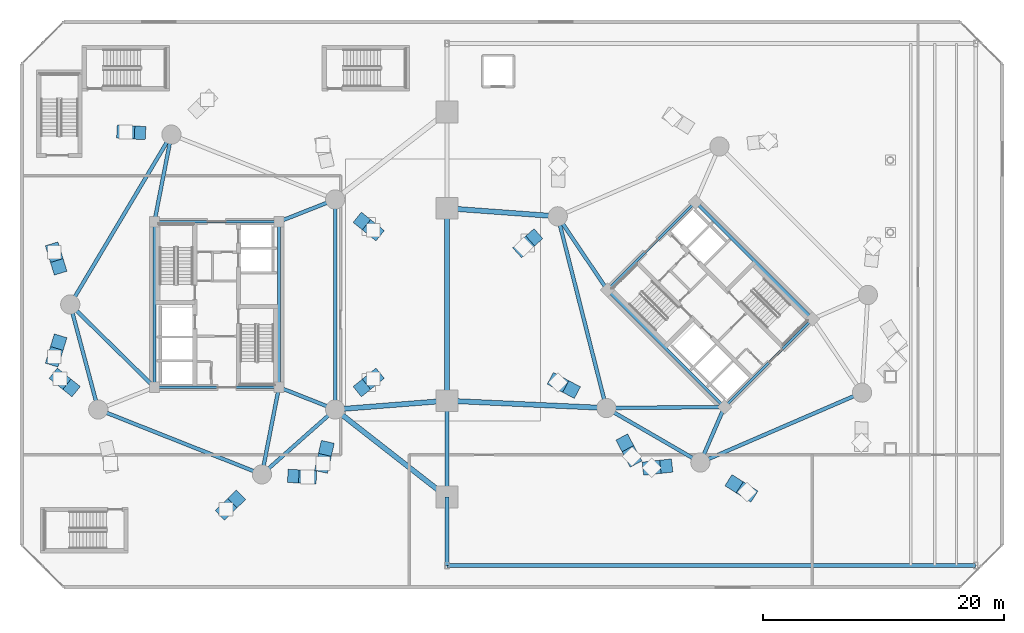
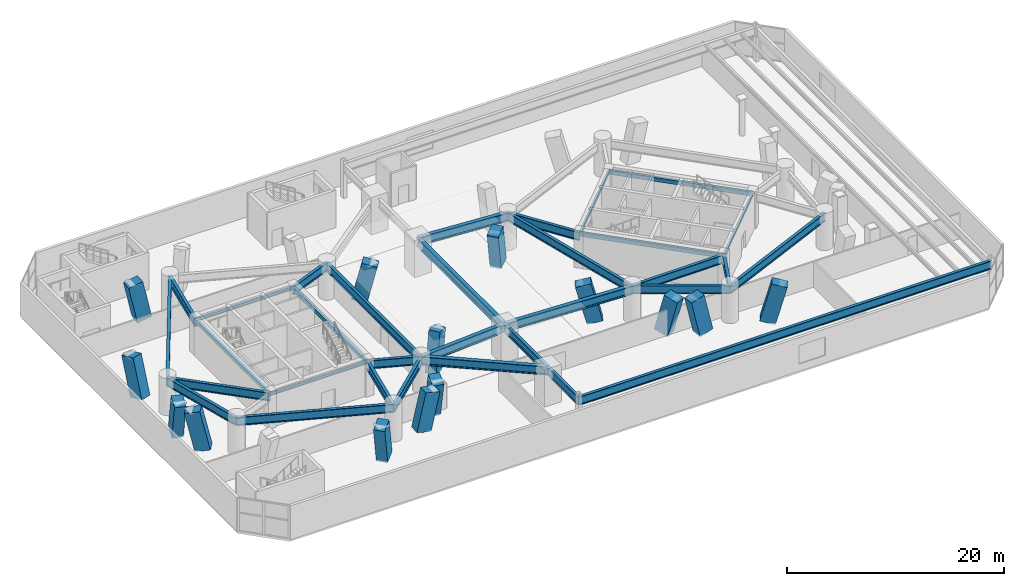
# One storey, part 4 of 20: 32 beams, 14 members.
"""IFC4 building model written with IfcOpenShell, lengths in metres."""

from ifc_helpers import new_model, si_unit, direction, frame, origin, origin_2d, place, context, subcontext, project, spatial, rectangle, hollow_rectangle, i_section, extrude, material, material_profile, profile_set, type_object, element, save


model = new_model("IFC4")

# Units and contexts
model_context = context("Model", 3, precision=1e-05, world=origin(), true_north=direction((0.0, 1.0)))
body_context = subcontext(model_context, "Body", "Model", "MODEL_VIEW")
ifc_project = project(units=[si_unit("LENGTHUNIT", "METRE"), si_unit("AREAUNIT", "SQUARE_METRE"), si_unit("VOLUMEUNIT", "CUBIC_METRE"), si_unit("PLANEANGLEUNIT", "RADIAN"), si_unit("MASSUNIT", "GRAM", prefix="KILO")], contexts=[model_context])

# Site, building, storey
site_placement = place(None, origin())
site = spatial("IfcSite", under=ifc_project, at=site_placement, CompositionType="ELEMENT")
building_placement = place(site_placement, origin())
building = spatial("IfcBuilding", under=site, at=building_placement, Name="Cununo Teusaquillo Station Towers", CompositionType="ELEMENT")
storey_placement = place(building_placement, frame((0.0, 0.0, 13.199951171875)))
storey = spatial("IfcBuildingStorey", under=building, at=storey_placement, Name="L03", CompositionType="ELEMENT", Elevation=13.199951171875)

# Beams
ifc_material_1 = material(Name="Steel EN 10025-2 S355J2", Category="steel")
ifc_material_profile_1 = material_profile(ifc_material_1, hollow_rectangle(XDim=0.25, YDim=0.449951171875, WallThickness=0.01611328125, at=origin_2d()), Name="RHS 450x250x16")
ifc_profile_set_1 = profile_set([ifc_material_profile_1], Name="Steel EN 10025-2 S355J2")
beam_type_1 = type_object("IfcBeamType", Name="BM-COUP-1", PredefinedType="USERDEFINED", material=ifc_profile_set_1)
for number, where, z_axis, x_axis, name in (
    (1, (11.324951171875, 17.6201171875, 3.590087890625), (0.0, 1.0, 0.0), (-1.0, 0.0, 0.0), "L03 Tower A Core Beam 1"),
    (2, (21.675048828125, 17.6201171875, 3.590087890625), (0.0, 1.0, 0.0), (-1.0, 0.0, 0.0), "L03 Tower A Core Beam 2"),
):
    element("IfcBeam", number, at=place(storey_placement, frame(where, z_axis=z_axis, x_axis=x_axis)), inside=storey, type_object=beam_type_1, Name=name, ObjectType="COUPLING BEAM", PredefinedType="USERDEFINED", context=body_context, shape_type="SweptSolid", body=[
        extrude(hollow_rectangle(XDim=0.25, YDim=0.449951171875, WallThickness=0.01611328125, at=origin_2d()), origin(), (0.0, 0.0, 1.0), 13.759765625),
    ])
for number, where, z_axis, x_axis, name in (
    (3, (58.70556640625, 15.975830078125, 3.590087890625), (-0.707106781187, 0.707106781187, 0.0), (-0.707106781187, -0.707106781187, 0.0), "L03 Tower B Core Beam 1"),
    (4, (66.024169921875, 23.29443359375, 3.590087890625), (-0.707106781187, 0.707106781187, 0.0), (-0.707106781187, -0.707106781187, 0.0), "L03 Tower B Core Beam 2"),
):
    element("IfcBeam", number, at=place(storey_placement, frame(where, z_axis=z_axis, x_axis=x_axis)), inside=storey, type_object=beam_type_1, Name=name, ObjectType="COUPLING BEAM", PredefinedType="USERDEFINED", context=body_context, shape_type="SweptSolid", body=[
        extrude(hollow_rectangle(XDim=0.25, YDim=0.449951171875, WallThickness=0.01611328125, at=origin_2d()), origin(), (0.0, 0.0, 1.0), 13.760009765625),
    ])
ifc_material_2 = material(Name="Steel ASTM A572 Grade 50", Category="steel")
ifc_material_profile_2 = material_profile(ifc_material_2, i_section(OverallWidth=0.2041015625, OverallDepth=0.35009765625, WebThickness=0.008544921875, FlangeThickness=0.01513671875, FilletRadius=0.011962890625, at=origin_2d()), Name="W14X48")
ifc_profile_set_2 = profile_set([ifc_material_profile_2], Name="Steel ASTM A572 Grade 50")
beam_type_2 = type_object("IfcBeamType", Name="BM-LINTEL-1", PredefinedType="LINTEL", material=ifc_profile_set_2)
for number, where, z_axis, x_axis, name in (
    (5, (11.324951171875, 17.6201171875, 3.64013671875), (1.0, 0.0, 0.0), (0.0, 1.0, 0.0), "L03 Tower A Core Beam 3"),
    (6, (11.324951171875, 31.3798828125, 3.64013671875), (1.0, 0.0, 0.0), (0.0, 1.0, 0.0), "L03 Tower A Core Beam 4"),
    (7, (58.70556640625, 15.975830078125, 3.64013671875), (0.707106781187, 0.707106781187, 0.0), (-0.707106781187, 0.707106781187, 0.0), "L03 Tower B Core Beam 3"),
    (8, (48.975830078125, 25.70556640625, 3.64013671875), (0.707106781187, 0.707106781187, 0.0), (-0.707106781187, 0.707106781187, 0.0), "L03 Tower B Core Beam 4"),
):
    element("IfcBeam", number, at=place(storey_placement, frame(where, z_axis=z_axis, x_axis=x_axis)), inside=storey, type_object=beam_type_2, Name=name, PredefinedType="LINTEL", context=body_context, shape_type="SweptSolid", body=[
        extrude(i_section(OverallWidth=0.2041015625, OverallDepth=0.35009765625, WebThickness=0.008544921875, FlangeThickness=0.01513671875, FilletRadius=0.011962890625, at=origin_2d()), origin(), (0.0, 0.0, 1.0), 10.35009765625),
    ])
ifc_material_3 = material(Name="Steel ASTM A572 Grade 50", Category="steel")
ifc_material_profile_3 = material_profile(ifc_material_3, i_section(OverallWidth=0.30810546875, OverallDepth=0.943115234375, WebThickness=0.022216796875, FlangeThickness=0.039794921875, FilletRadius=0.02392578125, at=origin_2d()), Name="W36X232")
ifc_profile_set_3 = profile_set([ifc_material_profile_3], Name="Steel ASTM A572 Grade 50")
beam_type_3 = type_object("IfcBeamType", Name="BM-POD-SEC", PredefinedType="BEAM", material=ifc_profile_set_3)
beam_1_placement = place(storey_placement, frame((12.738525390625, 38.623291015625, 3.343505859375), z_axis=(-0.511660099054, -0.859187955593, 0.0), x_axis=(0.859187955593, -0.511660099054, 0.0)))
element("IfcBeam", 9, at=beam_1_placement, inside=storey, type_object=beam_type_3, Name="L03 Tower A Podium Perimeter Girder 2", PredefinedType="BEAM", context=body_context, shape_type="SweptSolid", body=[
    extrude(i_section(OverallWidth=0.30810546875, OverallDepth=0.943115234375, WebThickness=0.022216796875, FlangeThickness=0.039794921875, FilletRadius=0.02392578125, at=origin_2d()), origin(), (0.0, 0.0, 1.0), 16.43798828125),
])
beam_2_placement = place(storey_placement, frame((4.327880859375, 24.5, 3.343505859375), z_axis=(0.257363196347, -0.966314744359, 0.0), x_axis=(0.966314744359, 0.257363196347, 0.0)))
element("IfcBeam", 10, at=beam_2_placement, inside=storey, type_object=beam_type_3, Name="L03 Tower A Podium Perimeter Girder 3", PredefinedType="BEAM", context=body_context, shape_type="SweptSolid", body=[
    extrude(i_section(OverallWidth=0.30810546875, OverallDepth=0.943115234375, WebThickness=0.022216796875, FlangeThickness=0.039794921875, FilletRadius=0.02392578125, at=origin_2d()), origin(), (0.0, 0.0, 1.0), 9.03271484375),
])
beam_3_placement = place(storey_placement, frame((6.652587890625, 15.771484375, 3.343505859375), z_axis=(0.929621249939, -0.368516392664, 0.0), x_axis=(0.368516392664, 0.929621249939, 0.0)))
element("IfcBeam", 11, at=beam_3_placement, inside=storey, type_object=beam_type_3, Name="L03 Tower A Podium Perimeter Girder 4", PredefinedType="BEAM", context=body_context, shape_type="SweptSolid", body=[
    extrude(i_section(OverallWidth=0.30810546875, OverallDepth=0.943115234375, WebThickness=0.022216796875, FlangeThickness=0.039794921875, FilletRadius=0.02392578125, at=origin_2d()), origin(), (0.0, 0.0, 1.0), 14.63916015625),
])
beam_4_placement = place(storey_placement, frame((20.261474609375, 10.376708984375, 3.343505859375), z_axis=(0.74832120039, 0.66333655187, 0.0), x_axis=(-0.66333655187, 0.74832120039, 0.0)))
element("IfcBeam", 12, at=beam_4_placement, inside=storey, type_object=beam_type_3, Name="L03 Tower A Podium Perimeter Girder 5", PredefinedType="BEAM", context=body_context, shape_type="SweptSolid", body=[
    extrude(i_section(OverallWidth=0.30810546875, OverallDepth=0.943115234375, WebThickness=0.022216796875, FlangeThickness=0.039794921875, FilletRadius=0.02392578125, at=origin_2d()), origin(), (0.0, 0.0, 1.0), 8.1328125),
])
beam_5_placement = place(storey_placement, frame((26.347412109375, 15.771484375, 3.343505859375), z_axis=(0.0, 1.0, 0.0), x_axis=(-1.0, 0.0, 0.0)))
element("IfcBeam", 13, at=beam_5_placement, inside=storey, type_object=beam_type_3, Name="L03 Tower A Podium Perimeter Girder 6", PredefinedType="BEAM", context=body_context, shape_type="SweptSolid", body=[
    extrude(i_section(OverallWidth=0.30810546875, OverallDepth=0.943115234375, WebThickness=0.022216796875, FlangeThickness=0.039794921875, FilletRadius=0.02392578125, at=origin_2d()), origin(), (0.0, 0.0, 1.0), 17.45703125),
])
beam_6_placement = place(storey_placement, frame((21.675048828125, 31.3798828125, 3.343505859375), z_axis=(0.929864104313, 0.367903176814, 0.0), x_axis=(-0.367903176814, 0.929864104313, 0.0)))
element("IfcBeam", 14, at=beam_6_placement, inside=storey, type_object=beam_type_3, Name="L03 Tower A Podium Radial Girder 1", PredefinedType="BEAM", context=body_context, shape_type="SweptSolid", body=[
    extrude(i_section(OverallWidth=0.30810546875, OverallDepth=0.943115234375, WebThickness=0.022216796875, FlangeThickness=0.039794921875, FilletRadius=0.02392578125, at=origin_2d()), origin(), (0.0, 0.0, 1.0), 5.02490234375),
])
beam_7_placement = place(storey_placement, frame((11.324951171875, 31.3798828125, 3.343505859375), z_axis=(0.191539895403, 0.981484828446, 0.0), x_axis=(-0.981484828446, 0.191539895403, 0.0)))
element("IfcBeam", 15, at=beam_7_placement, inside=storey, type_object=beam_type_3, Name="L03 Tower A Podium Radial Girder 2", PredefinedType="BEAM", context=body_context, shape_type="SweptSolid", body=[
    extrude(i_section(OverallWidth=0.30810546875, OverallDepth=0.943115234375, WebThickness=0.022216796875, FlangeThickness=0.039794921875, FilletRadius=0.02392578125, at=origin_2d()), origin(), (0.0, 0.0, 1.0), 7.380126953125),
])
beam_8_placement = place(storey_placement, frame((11.324951171875, 17.6201171875, 3.343505859375), z_axis=(-0.713052701438, 0.701110437073, 0.0), x_axis=(-0.701110437073, -0.713052701438, 0.0)))
element("IfcBeam", 16, at=beam_8_placement, inside=storey, type_object=beam_type_3, Name="L03 Tower A Podium Radial Girder 3", PredefinedType="BEAM", context=body_context, shape_type="SweptSolid", body=[
    extrude(i_section(OverallWidth=0.30810546875, OverallDepth=0.943115234375, WebThickness=0.022216796875, FlangeThickness=0.039794921875, FilletRadius=0.02392578125, at=origin_2d()), origin(), (0.0, 0.0, 1.0), 9.812744140625),
])
beam_9_placement = place(storey_placement, frame((21.675048828125, 17.6201171875, 3.343505859375), z_axis=(-0.191539895403, -0.981484828446, 0.0), x_axis=(0.981484828446, -0.191539895403, 0.0)))
element("IfcBeam", 17, at=beam_9_placement, inside=storey, type_object=beam_type_3, Name="L03 Tower A Podium Radial Girder 5", PredefinedType="BEAM", context=body_context, shape_type="SweptSolid", body=[
    extrude(i_section(OverallWidth=0.30810546875, OverallDepth=0.943115234375, WebThickness=0.022216796875, FlangeThickness=0.039794921875, FilletRadius=0.02392578125, at=origin_2d()), origin(), (0.0, 0.0, 1.0), 7.380126953125),
])
beam_10_placement = place(storey_placement, frame((21.675048828125, 17.6201171875, 3.343505859375), z_axis=(0.929864104313, -0.367903176814, 0.0), x_axis=(0.367903176814, 0.929864104313, 0.0)))
element("IfcBeam", 18, at=beam_10_placement, inside=storey, type_object=beam_type_3, Name="L03 Tower A Podium Radial Girder 6", PredefinedType="BEAM", context=body_context, shape_type="SweptSolid", body=[
    extrude(i_section(OverallWidth=0.30810546875, OverallDepth=0.943115234375, WebThickness=0.022216796875, FlangeThickness=0.039794921875, FilletRadius=0.02392578125, at=origin_2d()), origin(), (0.0, 0.0, 1.0), 5.02490234375),
])
beam_11_placement = place(storey_placement, frame((44.853759765625, 31.826904296875, 3.343505859375), z_axis=(0.245731928557, -0.969337825161, 0.0), x_axis=(0.969337825161, 0.245731928557, 0.0)))
element("IfcBeam", 19, at=beam_11_placement, inside=storey, type_object=beam_type_3, Name="L03 Tower B Podium Perimeter Girder 2", PredefinedType="BEAM", context=body_context, shape_type="SweptSolid", body=[
    extrude(i_section(OverallWidth=0.30810546875, OverallDepth=0.943115234375, WebThickness=0.022216796875, FlangeThickness=0.039794921875, FilletRadius=0.02392578125, at=origin_2d()), origin(), (0.0, 0.0, 1.0), 16.437744140625),
])
beam_12_placement = place(storey_placement, frame((48.89306640625, 15.89306640625, 3.343505859375), z_axis=(0.865267103202, -0.501311121078, 0.0), x_axis=(0.501311121078, 0.865267103202, 0.0)))
element("IfcBeam", 20, at=beam_12_placement, inside=storey, type_object=beam_type_3, Name="L03 Tower B Podium Perimeter Girder 3", PredefinedType="BEAM", context=body_context, shape_type="SweptSolid", body=[
    extrude(i_section(OverallWidth=0.30810546875, OverallDepth=0.943115234375, WebThickness=0.022216796875, FlangeThickness=0.039794921875, FilletRadius=0.02392578125, at=origin_2d()), origin(), (0.0, 0.0, 1.0), 9.032958984375),
])
beam_13_placement = place(storey_placement, frame((56.708984375, 11.36474609375, 3.343505859375), z_axis=(0.917915648818, 0.396775580971, 0.0), x_axis=(-0.396775580971, 0.917915648818, 0.0)))
element("IfcBeam", 21, at=beam_13_placement, inside=storey, type_object=beam_type_3, Name="L03 Tower B Podium Perimeter Girder 4", PredefinedType="BEAM", context=body_context, shape_type="SweptSolid", body=[
    extrude(i_section(OverallWidth=0.30810546875, OverallDepth=0.943115234375, WebThickness=0.022216796875, FlangeThickness=0.039794921875, FilletRadius=0.02392578125, at=origin_2d()), origin(), (0.0, 0.0, 1.0), 14.638916015625),
])
beam_14_placement = place(storey_placement, frame((48.975830078125, 25.70556640625, 3.343505859375), z_axis=(-0.558557182486, 0.829466017323, 0.0), x_axis=(-0.829466017323, -0.558557182486, 0.0)))
element("IfcBeam", 22, at=beam_14_placement, inside=storey, type_object=beam_type_3, Name="L03 Tower B Podium Radial Girder 2", PredefinedType="BEAM", context=body_context, shape_type="SweptSolid", body=[
    extrude(i_section(OverallWidth=0.30810546875, OverallDepth=0.943115234375, WebThickness=0.022216796875, FlangeThickness=0.039794921875, FilletRadius=0.02392578125, at=origin_2d()), origin(), (0.0, 0.0, 1.0), 7.3798828125),
])
beam_15_placement = place(storey_placement, frame((58.70556640625, 15.975830078125, 3.343505859375), z_axis=(-0.999964431382, -0.008434214327, 0.0), x_axis=(0.008434214327, -0.999964431382, 0.0)))
element("IfcBeam", 23, at=beam_15_placement, inside=storey, type_object=beam_type_3, Name="L03 Tower B Podium Radial Girder 3", PredefinedType="BEAM", context=body_context, shape_type="SweptSolid", body=[
    extrude(i_section(OverallWidth=0.30810546875, OverallDepth=0.943115234375, WebThickness=0.022216796875, FlangeThickness=0.039794921875, FilletRadius=0.02392578125, at=origin_2d()), origin(), (0.0, 0.0, 1.0), 9.812744140625),
])
beam_16_placement = place(storey_placement, frame((58.70556640625, 15.975830078125, 3.343505859375), z_axis=(-0.397346986387, -0.917668443616, 0.0), x_axis=(0.917668443616, -0.397346986387, 0.0)))
element("IfcBeam", 24, at=beam_16_placement, inside=storey, type_object=beam_type_3, Name="L03 Tower B Podium Radial Girder 4", PredefinedType="BEAM", context=body_context, shape_type="SweptSolid", body=[
    extrude(i_section(OverallWidth=0.30810546875, OverallDepth=0.943115234375, WebThickness=0.022216796875, FlangeThickness=0.039794921875, FilletRadius=0.02392578125, at=origin_2d()), origin(), (0.0, 0.0, 1.0), 5.02490234375),
])
beam_17_placement = place(storey_placement, frame((35.64990234375, 2.800048828125, 3.343505859375), z_axis=(0.0, 1.0, 0.0), x_axis=(-1.0, 0.0, 0.0)))
element("IfcBeam", 25, at=beam_17_placement, inside=storey, type_object=beam_type_3, Name="L03 Station Podium Girder NS-1", PredefinedType="BEAM", context=body_context, shape_type="SweptSolid", body=[
    extrude(i_section(OverallWidth=0.30810546875, OverallDepth=0.943115234375, WebThickness=0.022216796875, FlangeThickness=0.039794921875, FilletRadius=0.02392578125, at=origin_2d()), origin(), (0.0, 0.0, 1.0), 5.699951171875),
])
beam_18_placement = place(storey_placement, frame((35.64990234375, 8.5, 3.343505859375), z_axis=(0.0, 1.0, 0.0), x_axis=(-1.0, 0.0, 0.0)))
element("IfcBeam", 26, at=beam_18_placement, inside=storey, type_object=beam_type_3, Name="L03 Station Podium Girder NS-2", PredefinedType="BEAM", context=body_context, shape_type="SweptSolid", body=[
    extrude(i_section(OverallWidth=0.30810546875, OverallDepth=0.943115234375, WebThickness=0.022216796875, FlangeThickness=0.039794921875, FilletRadius=0.02392578125, at=origin_2d()), origin(), (0.0, 0.0, 1.0), 8.0),
])
beam_19_placement = place(storey_placement, frame((35.64990234375, 2.800048828125, 3.343505859375), z_axis=(1.0, 0.0, 0.0), x_axis=(0.0, 1.0, 0.0)))
element("IfcBeam", 27, at=beam_19_placement, inside=storey, type_object=beam_type_3, Name="L03 Station Podium Girder CAN-S", PredefinedType="BEAM", context=body_context, shape_type="SweptSolid", body=[
    extrude(i_section(OverallWidth=0.30810546875, OverallDepth=0.943115234375, WebThickness=0.022216796875, FlangeThickness=0.039794921875, FilletRadius=0.02392578125, at=origin_2d()), origin(), (0.0, 0.0, 1.0), 43.9501953125),
])
ifc_material_4 = material(Name="Steel ASTM A572 Grade 50", Category="steel")
ifc_material_profile_4 = material_profile(ifc_material_4, i_section(OverallWidth=0.423095703125, OverallDepth=0.947998046875, WebThickness=0.02392578125, FlangeThickness=0.042724609375, FilletRadius=0.02392578125, at=origin_2d()), Name="W36X302")
ifc_profile_set_4 = profile_set([ifc_material_profile_4], Name="Steel ASTM A572 Grade 50")
beam_type_4 = type_object("IfcBeamType", Name="BM-POD-SPAN", PredefinedType="BEAM", material=ifc_profile_set_4)
beam_20_placement = place(storey_placement, frame((35.64990234375, 16.5, 3.341064453125), z_axis=(0.0, 1.0, 0.0), x_axis=(-1.0, 0.0, 0.0)))
element("IfcBeam", 28, at=beam_20_placement, inside=storey, type_object=beam_type_4, Name="L03 Station Podium Girder NS-HALL", PredefinedType="BEAM", context=body_context, shape_type="SweptSolid", body=[
    extrude(i_section(OverallWidth=0.423095703125, OverallDepth=0.947998046875, WebThickness=0.02392578125, FlangeThickness=0.042724609375, FilletRadius=0.02392578125, at=origin_2d()), origin(), (0.0, 0.0, 1.0), 16.0),
])
beam_21_placement = place(storey_placement, frame((26.347412109375, 15.771484375, 3.341064453125), z_axis=(0.787863531103, -0.615849865112, 0.0), x_axis=(0.615849865112, 0.787863531103, 0.0)))
element("IfcBeam", 29, at=beam_21_placement, inside=storey, type_object=beam_type_4, Name="L03 Station Podium Girder EW-S", PredefinedType="BEAM", context=body_context, shape_type="SweptSolid", body=[
    extrude(i_section(OverallWidth=0.423095703125, OverallDepth=0.947998046875, WebThickness=0.02392578125, FlangeThickness=0.042724609375, FilletRadius=0.02392578125, at=origin_2d()), origin(), (0.0, 0.0, 1.0), 11.80712890625),
])
beam_22_placement = place(storey_placement, frame((26.347412109375, 15.771484375, 3.341064453125), z_axis=(0.996947489132, 0.078074989045, 0.0), x_axis=(-0.078074989045, 0.996947489132, 0.0)))
element("IfcBeam", 30, at=beam_22_placement, inside=storey, type_object=beam_type_4, Name="L03 Station Podium Girder EW-M1", PredefinedType="BEAM", context=body_context, shape_type="SweptSolid", body=[
    extrude(i_section(OverallWidth=0.423095703125, OverallDepth=0.947998046875, WebThickness=0.02392578125, FlangeThickness=0.042724609375, FilletRadius=0.02392578125, at=origin_2d()), origin(), (0.0, 0.0, 1.0), 9.3310546875),
])
beam_23_placement = place(storey_placement, frame((35.64990234375, 32.5, 3.341064453125), z_axis=(0.997336540567, -0.072937129429, 0.0), x_axis=(0.072937129429, 0.997336540567, 0.0)))
element("IfcBeam", 31, at=beam_23_placement, inside=storey, type_object=beam_type_4, Name="L03 Station Podium Girder EW-M2", PredefinedType="BEAM", context=body_context, shape_type="SweptSolid", body=[
    extrude(i_section(OverallWidth=0.423095703125, OverallDepth=0.947998046875, WebThickness=0.02392578125, FlangeThickness=0.042724609375, FilletRadius=0.02392578125, at=origin_2d()), origin(), (0.0, 0.0, 1.0), 9.228515625),
])
beam_24_placement = place(storey_placement, frame((35.64990234375, 16.5, 3.341064453125), z_axis=(0.998951459145, -0.045781898965, 0.0), x_axis=(0.045781898965, 0.998951459145, 0.0)))
element("IfcBeam", 32, at=beam_24_placement, inside=storey, type_object=beam_type_4, Name="L03 Station Podium Girder EW-M3", PredefinedType="BEAM", context=body_context, shape_type="SweptSolid", body=[
    extrude(i_section(OverallWidth=0.423095703125, OverallDepth=0.947998046875, WebThickness=0.02392578125, FlangeThickness=0.042724609375, FilletRadius=0.02392578125, at=origin_2d()), origin(), (0.0, 0.0, 1.0), 13.257080078125),
])

# Members
ifc_material_5 = material(Name="Concrete C60/75", Category="concrete")
ifc_material_profile_5 = material_profile(ifc_material_5, rectangle(XDim=1.10009765625, YDim=1.5, at=origin_2d()), Name="RC-RECT-1500x1100")
ifc_profile_set_5 = profile_set([ifc_material_profile_5], Name="Concrete C60/75")
member_type = type_object("IfcMemberType", Name="MBR-VFOOT", PredefinedType="USERDEFINED", material=ifc_profile_set_5)
member_1_placement = place(storey_placement, frame((28.753662109375, 31.289794921875, 0.0), z_axis=(0.177495993399, -0.142970305908, 0.973680986749), x_axis=(0.627296069492, 0.778780868538, 0.0)))
element("IfcMember", 33, at=member_1_placement, inside=storey, type_object=member_type, Name="L03 Tower A Sloping Concrete V-Foot V02L", ObjectType="V FOOT STRUT", PredefinedType="USERDEFINED", context=body_context, shape_type="SweptSolid", body=[
    extrude(rectangle(XDim=1.10009765625, YDim=1.5, at=origin_2d()), origin(), (0.0, 0.0, 1.0), 4.3134765625),
])
member_2_placement = place(storey_placement, frame((9.856689453125, 38.78466796875, 0.0), z_axis=(-0.213293693853, 0.011982153728, 0.976914647323), x_axis=(-0.056088350848, -0.998425809412, 0.0)))
element("IfcMember", 34, at=member_2_placement, inside=storey, type_object=member_type, Name="L03 Tower A Sloping Concrete V-Foot V06R", ObjectType="V FOOT STRUT", PredefinedType="USERDEFINED", context=body_context, shape_type="SweptSolid", body=[
    extrude(rectangle(XDim=1.10009765625, YDim=1.5, at=origin_2d()), origin(), (0.0, 0.0, 1.0), 4.29931640625),
])
for number, where, z_axis, x_axis, name in (
    (35, (3.31640625, 27.79833984375, 0.0), (-0.074124326073, 0.241775779808, 0.967496799262), (-0.956076647282, -0.293116776254, 0.0), "L03 Tower A Sloping Concrete V-Foot V10L"),
    (36, (3.31640625, 21.20166015625, 0.0), (-0.074124326073, -0.241775779808, 0.967496799262), (0.956076647282, -0.293116776254, 0.0), "L03 Tower A Sloping Concrete V-Foot V10R"),
):
    element("IfcMember", number, at=place(storey_placement, frame(where, z_axis=z_axis, x_axis=x_axis)), inside=storey, type_object=member_type, Name=name, ObjectType="V FOOT STRUT", PredefinedType="USERDEFINED", context=body_context, shape_type="SweptSolid", body=[
        extrude(rectangle(XDim=1.10009765625, YDim=1.5, at=origin_2d()), origin(), (0.0, 0.0, 1.0), 4.341064453125),
    ])
member_3_placement = place(storey_placement, frame((4.246337890625, 17.710205078125, 0.0), z_axis=(-0.177495993399, 0.142970305908, 0.973680986749), x_axis=(-0.627296069492, -0.778780868538, 0.0)))
element("IfcMember", 37, at=member_3_placement, inside=storey, type_object=member_type, Name="L03 Tower A Sloping Concrete V-Foot V12L", ObjectType="V FOOT STRUT", PredefinedType="USERDEFINED", context=body_context, shape_type="SweptSolid", body=[
    extrude(rectangle(XDim=1.10009765625, YDim=1.5, at=origin_2d()), origin(), (0.0, 0.0, 1.0), 4.3134765625),
])
member_4_placement = place(storey_placement, frame((18.004638671875, 8.1767578125, 0.0), z_axis=(-0.166284993933, -0.162101012446, 0.972662614968), x_axis=(0.698040844894, -0.716057943786, 0.0)))
element("IfcMember", 38, at=member_4_placement, inside=storey, type_object=member_type, Name="L03 Tower A Sloping Concrete V-Foot V16L", ObjectType="V FOOT STRUT", PredefinedType="USERDEFINED", context=body_context, shape_type="SweptSolid", body=[
    extrude(rectangle(XDim=1.10009765625, YDim=1.5, at=origin_2d()), origin(), (0.0, 0.0, 1.0), 4.318115234375),
])
member_5_placement = place(storey_placement, frame((23.143310546875, 10.21533203125, 0.0), z_axis=(0.213293693853, -0.011982153728, 0.976914647323), x_axis=(0.056088350848, 0.998425809412, 0.0)))
element("IfcMember", 39, at=member_5_placement, inside=storey, type_object=member_type, Name="L03 Tower A Sloping Concrete V-Foot V16R", ObjectType="V FOOT STRUT", PredefinedType="USERDEFINED", context=body_context, shape_type="SweptSolid", body=[
    extrude(rectangle(XDim=1.10009765625, YDim=1.5, at=origin_2d()), origin(), (0.0, 0.0, 1.0), 4.29931640625),
])
member_6_placement = place(storey_placement, frame((25.57763671875, 12.373046875, 0.0), z_axis=(-0.056372761122, -0.248928174485, 0.966879969671), x_axis=(0.975303454617, -0.220869127338, 0.0)))
element("IfcMember", 40, at=member_6_placement, inside=storey, type_object=member_type, Name="L03 Tower A Sloping Concrete V-Foot V18L", ObjectType="V FOOT STRUT", PredefinedType="USERDEFINED", context=body_context, shape_type="SweptSolid", body=[
    extrude(rectangle(XDim=1.10009765625, YDim=1.5, at=origin_2d()), origin(), (0.0, 0.0, 1.0), 4.34375),
])
member_7_placement = place(storey_placement, frame((28.753662109375, 17.710205078125, 0.0), z_axis=(0.177495993399, 0.142970305908, 0.973680986749), x_axis=(-0.627296069492, 0.778780868538, 0.0)))
element("IfcMember", 41, at=member_7_placement, inside=storey, type_object=member_type, Name="L03 Tower A Sloping Concrete V-Foot V18R", ObjectType="V FOOT STRUT", PredefinedType="USERDEFINED", context=body_context, shape_type="SweptSolid", body=[
    extrude(rectangle(XDim=1.10009765625, YDim=1.5, at=origin_2d()), origin(), (0.0, 0.0, 1.0), 4.3134765625),
])
member_8_placement = place(storey_placement, frame((42.70166015625, 29.9033203125, 0.0), z_axis=(-0.159288559684, -0.142365924823, 0.976913045364), x_axis=(0.666390727208, -0.745602708344, 0.0)))
element("IfcMember", 42, at=member_8_placement, inside=storey, type_object=member_type, Name="L03 Tower B Sloping Concrete V-Foot V06R", ObjectType="V FOOT STRUT", PredefinedType="USERDEFINED", context=body_context, shape_type="SweptSolid", body=[
    extrude(rectangle(XDim=1.10009765625, YDim=1.5, at=origin_2d()), origin(), (0.0, 0.0, 1.0), 4.29931640625),
])
for number, where, z_axis, x_axis, name in (
    (43, (45.845458984375, 17.51025390625, 0.0), (-0.223386108016, 0.118498119232, 0.967500306193), (-0.468613092848, -0.883403514376, 0.0), "L03 Tower B Sloping Concrete V-Foot V10L"),
    (44, (50.51025390625, 12.845458984375, 0.0), (0.118498119232, -0.223386108016, 0.967500306193), (0.883403514376, 0.468613092848, 0.0), "L03 Tower B Sloping Concrete V-Foot V10R"),
):
    element("IfcMember", number, at=place(storey_placement, frame(where, z_axis=z_axis, x_axis=x_axis)), inside=storey, type_object=member_type, Name=name, ObjectType="V FOOT STRUT", PredefinedType="USERDEFINED", context=body_context, shape_type="SweptSolid", body=[
        extrude(rectangle(XDim=1.10009765625, YDim=1.5, at=origin_2d()), origin(), (0.0, 0.0, 1.0), 4.341064453125),
    ])
member_9_placement = place(storey_placement, frame((53.636474609375, 11.0341796875, 0.0), z_axis=(-0.226623403117, -0.024394277408, 0.97367692403), x_axis=(0.107024105803, -0.994256426068, 0.0)))
element("IfcMember", 45, at=member_9_placement, inside=storey, type_object=member_type, Name="L03 Tower B Sloping Concrete V-Foot V12L", ObjectType="V FOOT STRUT", PredefinedType="USERDEFINED", context=body_context, shape_type="SweptSolid", body=[
    extrude(rectangle(XDim=1.10009765625, YDim=1.5, at=origin_2d()), origin(), (0.0, 0.0, 1.0), 4.3134765625),
])
member_10_placement = place(storey_placement, frame((59.656005859375, 9.506103515625, 0.0), z_axis=(0.215879398567, -0.136182187641, 0.966876671062), x_axis=(0.533537258725, 0.845776562428, 0.0)))
element("IfcMember", 46, at=member_10_placement, inside=storey, type_object=member_type, Name="L03 Tower B Sloping Concrete V-Foot V12R", ObjectType="V FOOT STRUT", PredefinedType="USERDEFINED", context=body_context, shape_type="SweptSolid", body=[
    extrude(rectangle(XDim=1.10009765625, YDim=1.5, at=origin_2d()), origin(), (0.0, 0.0, 1.0), 4.34375),
])

save(model, "model.ifc")
